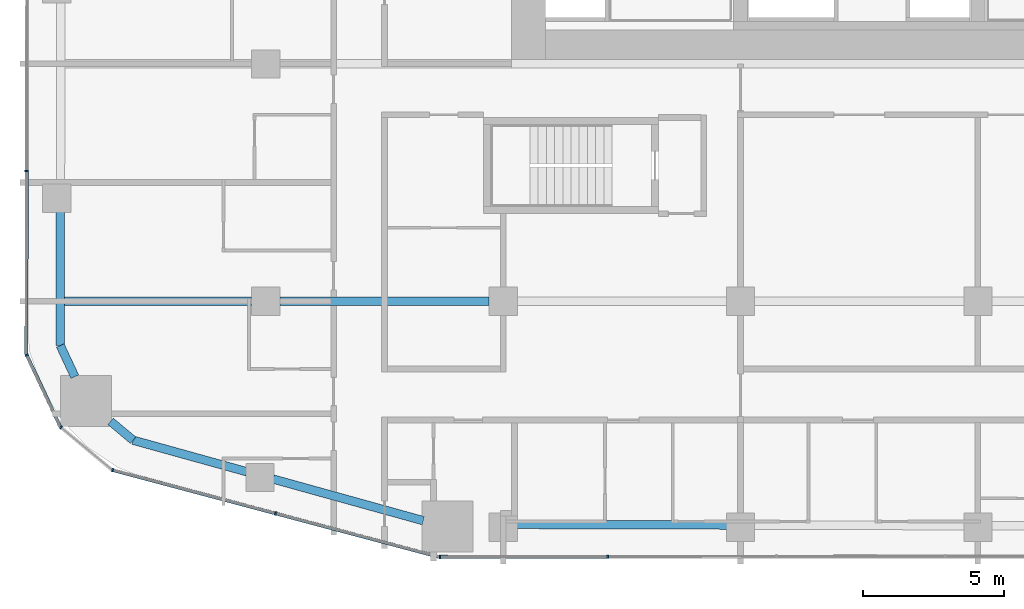
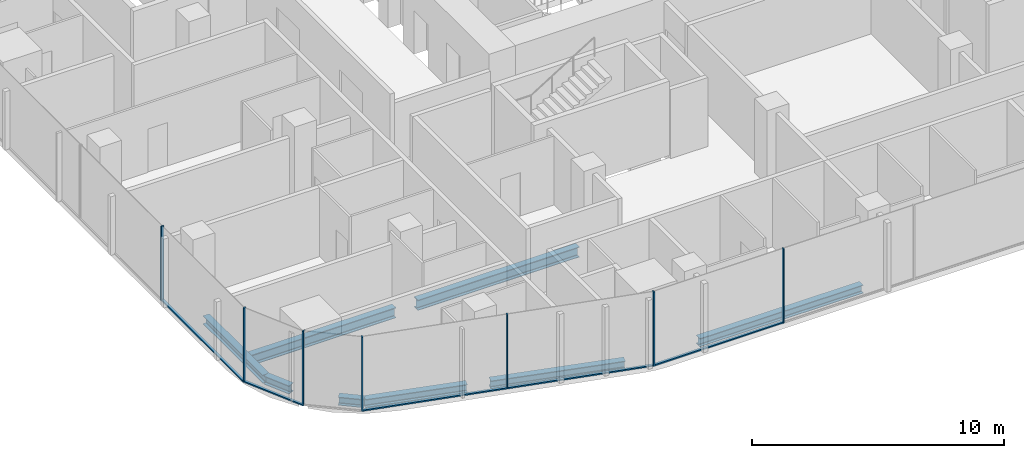
# One storey, part 2 of 26: 12 members, 8 beams, 5 elements without a shape of their own.
"""IFC4 building model written with IfcOpenShell, lengths in metres."""

from ifc_helpers import new_model, si_unit, direction, frame, origin, origin_2d, place, context, subcontext, project, spatial, rectangle, i_section, extrude, material, layer, layer_set, material_profile, profile_set, type_object, element, aggregate, save


model = new_model("IFC4")

# Units and contexts
model_context = context("Model", 3, precision=1e-05, world=origin(), true_north=direction((0.0, 1.0)))
body_context = subcontext(model_context, "Body", "Model", "MODEL_VIEW")
ifc_project = project(units=[si_unit("LENGTHUNIT", "METRE"), si_unit("AREAUNIT", "SQUARE_METRE"), si_unit("VOLUMEUNIT", "CUBIC_METRE"), si_unit("PLANEANGLEUNIT", "RADIAN"), si_unit("MASSUNIT", "GRAM", prefix="KILO")], contexts=[model_context])

# Site, building, storey
site_placement = place(None, origin())
site = spatial("IfcSite", under=ifc_project, at=site_placement, CompositionType="ELEMENT")
building_placement = place(site_placement, origin())
building = spatial("IfcBuilding", under=site, at=building_placement, Name="Marenta Gate Hotel Tower", CompositionType="ELEMENT")
storey_placement = place(building_placement, frame((0.0, 0.0, 72.5)))
storey = spatial("IfcBuildingStorey", under=building, at=storey_placement, Name="L16", CompositionType="ELEMENT", Elevation=72.5)

# Beams
ifc_material_1 = material(Name="Steel S355", Category="steel")
ifc_material_profile_1 = material_profile(ifc_material_1, i_section(OverallWidth=0.300048828125, OverallDepth=0.39990234375, WebThickness=0.013427734375, FlangeThickness=0.02392578125, FilletRadius=0.027099609375, at=origin_2d()), Name="HEB 400")
ifc_profile_set_1 = profile_set([ifc_material_profile_1], Name="Steel S355")
beam_type_1 = type_object("IfcBeamType", Name="Edge beam HEB 400", PredefinedType="SPANDREL", material=ifc_profile_set_1)
beam_1_placement = place(storey_placement, frame((-15.427734375, -16.166748046875, -0.4599609375), z_axis=(-0.963623684238, 0.267262782998, 0.0), x_axis=(-0.267262782998, -0.963623684238, 0.0)))
element("IfcBeam", 1, at=beam_1_placement, inside=storey, type_object=beam_type_1, Name="L16-EB-1", PredefinedType="SPANDREL", context=body_context, shape_type="SweptSolid", body=[
    extrude(i_section(OverallWidth=0.300048828125, OverallDepth=0.39990234375, WebThickness=0.013427734375, FlangeThickness=0.02392578125, FilletRadius=0.027099609375, at=origin_2d()), origin(), (0.0, 0.0, 1.0), 5.518310546875),
])
beam_2_placement = place(storey_placement, frame((-21.668212890625, -14.43603515625, -0.4599609375), z_axis=(-0.963617403201, 0.267285428426, 0.0), x_axis=(-0.267285428426, -0.963617403201, 0.0)))
element("IfcBeam", 2, at=beam_2_placement, inside=storey, type_object=beam_type_1, Name="L16-EB-2", PredefinedType="SPANDREL", context=body_context, shape_type="SweptSolid", body=[
    extrude(i_section(OverallWidth=0.300048828125, OverallDepth=0.39990234375, WebThickness=0.013427734375, FlangeThickness=0.02392578125, FilletRadius=0.027099609375, at=origin_2d()), origin(), (0.0, 0.0, 1.0), 4.1806640625),
])
beam_3_placement = place(storey_placement, frame((-25.69677734375, -13.318603515625, -0.4599609375), z_axis=(-0.767179911534, 0.641431978731, 0.0), x_axis=(-0.641431978731, -0.767179911534, 0.0)))
element("IfcBeam", 3, at=beam_3_placement, inside=storey, type_object=beam_type_1, Name="L16-EB-3", PredefinedType="SPANDREL", context=body_context, shape_type="SweptSolid", body=[
    extrude(i_section(OverallWidth=0.300048828125, OverallDepth=0.39990234375, WebThickness=0.013427734375, FlangeThickness=0.02392578125, FilletRadius=0.027099609375, at=origin_2d()), origin(), (0.0, 0.0, 1.0), 1.038818359375),
])
beam_4_placement = place(storey_placement, frame((-27.76025390625, -11.0693359375, -0.4599609375), z_axis=(-0.423291965192, 0.905993329006, 0.0), x_axis=(-0.905993329006, -0.423291965192, 0.0)))
element("IfcBeam", 4, at=beam_4_placement, inside=storey, type_object=beam_type_1, Name="L16-EB-4", PredefinedType="SPANDREL", context=body_context, shape_type="SweptSolid", body=[
    extrude(i_section(OverallWidth=0.300048828125, OverallDepth=0.39990234375, WebThickness=0.013427734375, FlangeThickness=0.02392578125, FilletRadius=0.027099609375, at=origin_2d()), origin(), (0.0, 0.0, 1.0), 1.21630859375),
])
beam_5_placement = place(storey_placement, frame((-28.275146484375, -9.96728515625, -0.4599609375), z_axis=(0.001386177947, 0.999999039255, 0.0), x_axis=(-0.999999039255, 0.001386177947, 0.0)))
element("IfcBeam", 5, at=beam_5_placement, inside=storey, type_object=beam_type_1, Name="L16-EB-5", PredefinedType="SPANDREL", context=body_context, shape_type="SweptSolid", body=[
    extrude(i_section(OverallWidth=0.300048828125, OverallDepth=0.39990234375, WebThickness=0.013427734375, FlangeThickness=0.02392578125, FilletRadius=0.027099609375, at=origin_2d()), origin(), (0.0, 0.0, 1.0), 4.75537109375),
])
beam_6_placement = place(storey_placement, frame((-4.659912109375, -16.31982421875, -0.4599609375), z_axis=(-0.999996151562, 0.002774321851, 0.0), x_axis=(-0.002774321851, -0.999996151562, 0.0)))
element("IfcBeam", 6, at=beam_6_placement, inside=storey, type_object=beam_type_1, Name="L16-EB-34", PredefinedType="SPANDREL", context=body_context, shape_type="SweptSolid", body=[
    extrude(i_section(OverallWidth=0.300048828125, OverallDepth=0.39990234375, WebThickness=0.013427734375, FlangeThickness=0.02392578125, FilletRadius=0.027099609375, at=origin_2d()), origin(), (0.0, 0.0, 1.0), 7.47998046875),
])
ifc_material_2 = material(Name="Steel S355", Category="steel")
ifc_material_profile_2 = material_profile(ifc_material_2, i_section(OverallWidth=0.300048828125, OverallDepth=0.5, WebThickness=0.014404296875, FlangeThickness=0.028076171875, FilletRadius=0.027099609375, at=origin_2d()), Name="HEB 500")
ifc_profile_set_2 = profile_set([ifc_material_profile_2], Name="Steel S355")
beam_type_2 = type_object("IfcBeamType", Name="Girder HEB 500", PredefinedType="BEAM", material=ifc_profile_set_2)
beam_7_placement = place(storey_placement, frame((-28.123046875, -8.39990234375, -0.510009765625), z_axis=(1.0, 0.0, 0.0), x_axis=(0.0, 1.0, 0.0)))
element("IfcBeam", 7, at=beam_7_placement, inside=storey, type_object=beam_type_2, Name="L16-GD-1", PredefinedType="BEAM", context=body_context, shape_type="SweptSolid", body=[
    extrude(i_section(OverallWidth=0.300048828125, OverallDepth=0.5, WebThickness=0.014404296875, FlangeThickness=0.028076171875, FilletRadius=0.027099609375, at=origin_2d()), origin(), (0.0, 0.0, 1.0), 6.623046875),
])
beam_8_placement = place(storey_placement, frame((-20.5, -8.39990234375, -0.510009765625), z_axis=(1.0, 0.0, 0.0), x_axis=(0.0, 1.0, 0.0)))
element("IfcBeam", 8, at=beam_8_placement, inside=storey, type_object=beam_type_2, Name="L16-GD-2", PredefinedType="BEAM", context=body_context, shape_type="SweptSolid", body=[
    extrude(i_section(OverallWidth=0.300048828125, OverallDepth=0.5, WebThickness=0.014404296875, FlangeThickness=0.028076171875, FilletRadius=0.027099609375, at=origin_2d()), origin(), (0.0, 0.0, 1.0), 7.39990234375),
])

# Curtain wall, member
ifc_material_3 = material(Name="Tinted insulated glass in bronze anodised frame", Category="glass")
ifc_layer = layer(ifc_material_3, 0.1201171875)
ifc_layer_set = layer_set([ifc_layer], Name="Tinted insulated glass in bronze anodised frame")
curtain_wall_type = type_object("IfcCurtainWallType", Name="Tower unitised curtain wall CW1", PredefinedType="NOTDEFINED", material=ifc_layer_set)
curtain_wall_1_placement = place(storey_placement, origin())
curtain_wall_1 = element("IfcCurtainWall", 9, at=curtain_wall_1_placement, inside=storey, type_object=curtain_wall_type, Name="CW1 run G03", PredefinedType="NOTDEFINED")
ifc_material_4 = material(Name="Bronze anodised aluminium", Category="aluminium")
ifc_material_profile_3 = material_profile(ifc_material_4, rectangle(XDim=0.1201171875, YDim=0.06005859375, at=origin_2d()), Name="Mullion CW1 60x120 bronze anodised aluminium")
ifc_profile_set_3 = profile_set([ifc_material_profile_3], Name="Bronze anodised aluminium")
member_type_1 = type_object("IfcMemberType", Name="Mullion CW1 60x120 bronze anodised aluminium", PredefinedType="MULLION", material=ifc_profile_set_3)
member_1_placement = place(storey_placement, frame((-29.463134765625, -3.78564453125, 0.0), z_axis=(0.0, 0.0, 1.0), x_axis=(0.99999877316, -0.00156642217, 0.0)))
member_1 = element("IfcMember", 10, at=member_1_placement, type_object=member_type_1, Name="CW1 mullion 6", PredefinedType="MULLION", context=body_context, shape_type="SweptSolid", body=[
    extrude(rectangle(XDim=0.1201171875, YDim=0.06005859375, at=origin_2d()), origin(), (0.0, 0.0, 1.0), 3.60009765625),
])

curtain_wall_2_placement = place(storey_placement, origin())
curtain_wall_2 = element("IfcCurtainWall", 11, at=curtain_wall_2_placement, inside=storey, type_object=curtain_wall_type, Name="CW1 run G04", PredefinedType="NOTDEFINED")
member_2_placement = place(storey_placement, frame((-29.460693359375, -10.30322265625, 0.0), z_axis=(0.0, 0.0, 1.0), x_axis=(0.905970129167, 0.423341617441, 0.0)))
member_2 = element("IfcMember", 12, at=member_2_placement, type_object=member_type_1, Name="CW1 mullion 1", PredefinedType="MULLION", context=body_context, shape_type="SweptSolid", body=[
    extrude(rectangle(XDim=0.1201171875, YDim=0.06005859375, at=origin_2d()), origin(), (0.0, 0.0, 1.0), 3.60009765625),
])

curtain_wall_3_placement = place(storey_placement, origin())
curtain_wall_3 = element("IfcCurtainWall", 13, at=curtain_wall_3_placement, inside=storey, type_object=curtain_wall_type, Name="CW1 run G05", PredefinedType="NOTDEFINED")
member_3_placement = place(storey_placement, frame((-28.25146484375, -12.86083984375, 0.0), z_axis=(0.0, 0.0, 1.0), x_axis=(0.641511984407, 0.767113012445, 0.0)))
member_3 = element("IfcMember", 14, at=member_3_placement, type_object=member_type_1, Name="CW1 mullion 1", PredefinedType="MULLION", context=body_context, shape_type="SweptSolid", body=[
    extrude(rectangle(XDim=0.1201171875, YDim=0.06005859375, at=origin_2d()), origin(), (0.0, 0.0, 1.0), 3.60009765625),
])
aggregate(curtain_wall_3, [member_3])

# Curtain wall, members
curtain_wall_4_placement = place(storey_placement, origin())
curtain_wall_4 = element("IfcCurtainWall", 15, at=curtain_wall_4_placement, inside=storey, type_object=curtain_wall_type, Name="CW1 run G06", PredefinedType="NOTDEFINED")
member_4_placement = place(storey_placement, frame((-26.42236328125, -14.3740234375, 0.0), z_axis=(0.0, 0.0, 1.0), x_axis=(0.257141675823, 0.966373715782, 0.0)))
member_4 = element("IfcMember", 16, at=member_4_placement, type_object=member_type_1, Name="CW1 mullion 1", PredefinedType="MULLION", context=body_context, shape_type="SweptSolid", body=[
    extrude(rectangle(XDim=0.1201171875, YDim=0.06005859375, at=origin_2d()), origin(), (0.0, 0.0, 1.0), 3.60009765625),
])
member_5_placement = place(storey_placement, frame((-20.660888671875, -15.906982421875, 0.0), z_axis=(0.0, 0.0, 1.0), x_axis=(0.257141675823, 0.966373715782, 0.0)))
member_5 = element("IfcMember", 17, at=member_5_placement, type_object=member_type_1, Name="CW1 mullion 2", PredefinedType="MULLION", context=body_context, shape_type="SweptSolid", body=[
    extrude(rectangle(XDim=0.1201171875, YDim=0.06005859375, at=origin_2d()), origin(), (0.0, 0.0, 1.0), 3.60009765625),
])

curtain_wall_5_placement = place(storey_placement, origin())
curtain_wall_5 = element("IfcCurtainWall", 18, at=curtain_wall_5_placement, inside=storey, type_object=curtain_wall_type, Name="CW1 run G07", PredefinedType="NOTDEFINED")
member_6_placement = place(storey_placement, frame((-14.840576171875, -17.44775390625, 0.0), z_axis=(0.0, 0.0, 1.0), x_axis=(-0.001161921639, 0.999999324969, 0.0)))
member_6 = element("IfcMember", 19, at=member_6_placement, type_object=member_type_1, Name="CW1 mullion 1", PredefinedType="MULLION", context=body_context, shape_type="SweptSolid", body=[
    extrude(rectangle(XDim=0.1201171875, YDim=0.06005859375, at=origin_2d()), origin(), (0.0, 0.0, 1.0), 3.60009765625),
])
member_7_placement = place(storey_placement, frame((-8.897705078125, -17.44091796875, 0.0), z_axis=(0.0, 0.0, 1.0), x_axis=(-0.001161921639, 0.999999324969, 0.0)))
member_7 = element("IfcMember", 20, at=member_7_placement, type_object=member_type_1, Name="CW1 mullion 2", PredefinedType="MULLION", context=body_context, shape_type="SweptSolid", body=[
    extrude(rectangle(XDim=0.1201171875, YDim=0.06005859375, at=origin_2d()), origin(), (0.0, 0.0, 1.0), 3.60009765625),
])

# Member
ifc_material_5 = material(Name="Bronze anodised aluminium", Category="aluminium")
ifc_material_profile_4 = material_profile(ifc_material_5, rectangle(XDim=0.1201171875, YDim=0.06005859375, at=origin_2d()), Name="Transom CW1 60x120 bronze anodised aluminium")
ifc_profile_set_4 = profile_set([ifc_material_profile_4], Name="Bronze anodised aluminium")
member_type_2 = type_object("IfcMemberType", Name="Transom CW1 60x120 bronze anodised aluminium", PredefinedType="USERDEFINED", material=ifc_profile_set_4)
member_8_placement = place(storey_placement, frame((-29.463134765625, -3.815673828125, 0.030029296875), z_axis=(-0.001587239601, -0.999998740334, 0.0), x_axis=(0.999998740334, -0.001587239601, 0.0)))
member_8 = element("IfcMember", 21, at=member_8_placement, type_object=member_type_2, Name="CW1 transom 6.1", ObjectType="TRANSOM", PredefinedType="USERDEFINED", context=body_context, shape_type="SweptSolid", body=[
    extrude(rectangle(XDim=0.1201171875, YDim=0.06005859375, at=origin_2d()), origin(), (0.0, 0.0, 1.0), 6.460205078125),
])

aggregate(curtain_wall_1, [member_1, member_8])

member_9_placement = place(storey_placement, frame((-29.447998046875, -10.330322265625, 0.030029296875), z_axis=(0.423348255175, -0.905967027457, 0.0), x_axis=(0.905967027457, 0.423348255175, 0.0)))
member_9 = element("IfcMember", 22, at=member_9_placement, type_object=member_type_2, Name="CW1 transom 1.1", ObjectType="TRANSOM", PredefinedType="USERDEFINED", context=body_context, shape_type="SweptSolid", body=[
    extrude(rectangle(XDim=0.1201171875, YDim=0.06005859375, at=origin_2d()), origin(), (0.0, 0.0, 1.0), 2.772216796875),
])

aggregate(curtain_wall_2, [member_2, member_9])

member_10_placement = place(storey_placement, frame((-26.393310546875, -14.3818359375, 0.030029296875), z_axis=(0.966374861095, -0.257137371541, 0.0), x_axis=(0.257137371541, 0.966374861095, 0.0)))
member_10 = element("IfcMember", 23, at=member_10_placement, type_object=member_type_2, Name="CW1 transom 1.1", ObjectType="TRANSOM", PredefinedType="USERDEFINED", context=body_context, shape_type="SweptSolid", body=[
    extrude(rectangle(XDim=0.1201171875, YDim=0.06005859375, at=origin_2d()), origin(), (0.0, 0.0, 1.0), 5.90185546875),
])

member_11_placement = place(storey_placement, frame((-20.632080078125, -15.914794921875, 0.030029296875), z_axis=(0.966378199773, -0.25712482378, 0.0), x_axis=(0.25712482378, 0.966378199773, 0.0)))
member_11 = element("IfcMember", 24, at=member_11_placement, type_object=member_type_2, Name="CW1 transom 2.1", ObjectType="TRANSOM", PredefinedType="USERDEFINED", context=body_context, shape_type="SweptSolid", body=[
    extrude(rectangle(XDim=0.1201171875, YDim=0.06005859375, at=origin_2d()), origin(), (0.0, 0.0, 1.0), 5.9619140625),
])

aggregate(curtain_wall_4, [member_4, member_5, member_10, member_11])

member_12_placement = place(storey_placement, frame((-14.810546875, -17.44775390625, 0.030029296875), z_axis=(0.999999324857, 0.001162017808, 0.0), x_axis=(-0.001162017808, 0.999999324857, 0.0)))
member_12 = element("IfcMember", 25, at=member_12_placement, type_object=member_type_2, Name="CW1 transom 1.1", ObjectType="TRANSOM", PredefinedType="USERDEFINED", context=body_context, shape_type="SweptSolid", body=[
    extrude(rectangle(XDim=0.1201171875, YDim=0.06005859375, at=origin_2d()), origin(), (0.0, 0.0, 1.0), 5.8828125),
])

aggregate(curtain_wall_5, [member_6, member_7, member_12])

save(model, "model.ifc")
